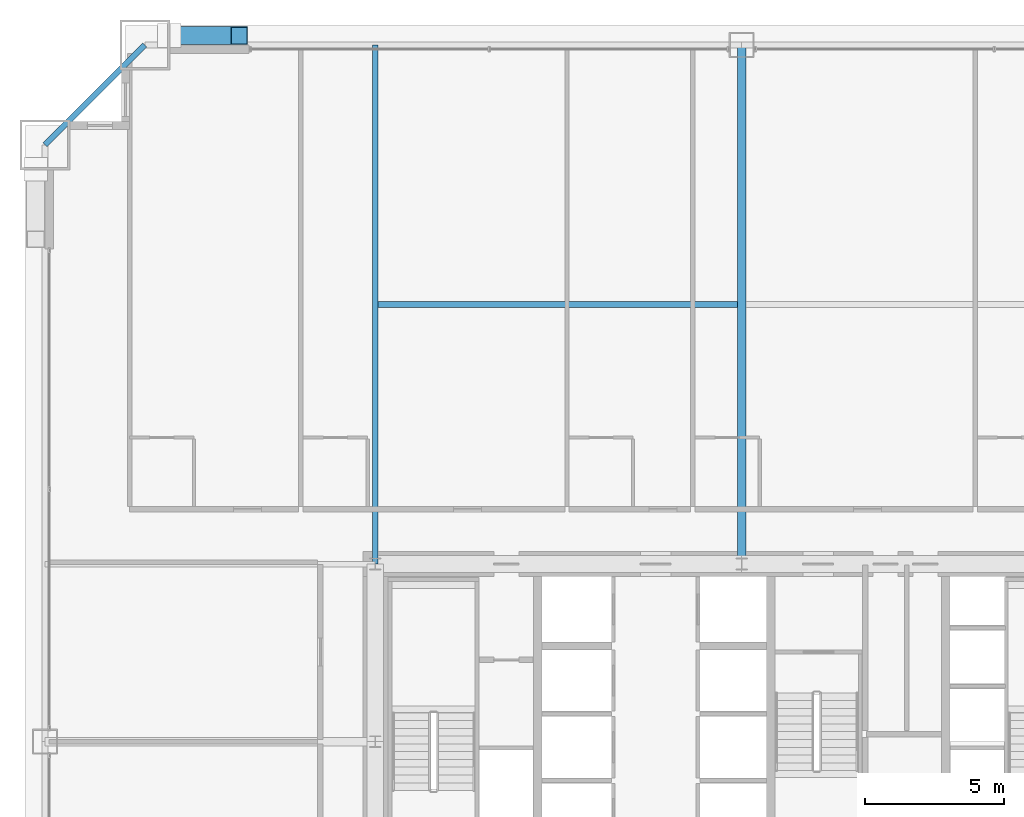
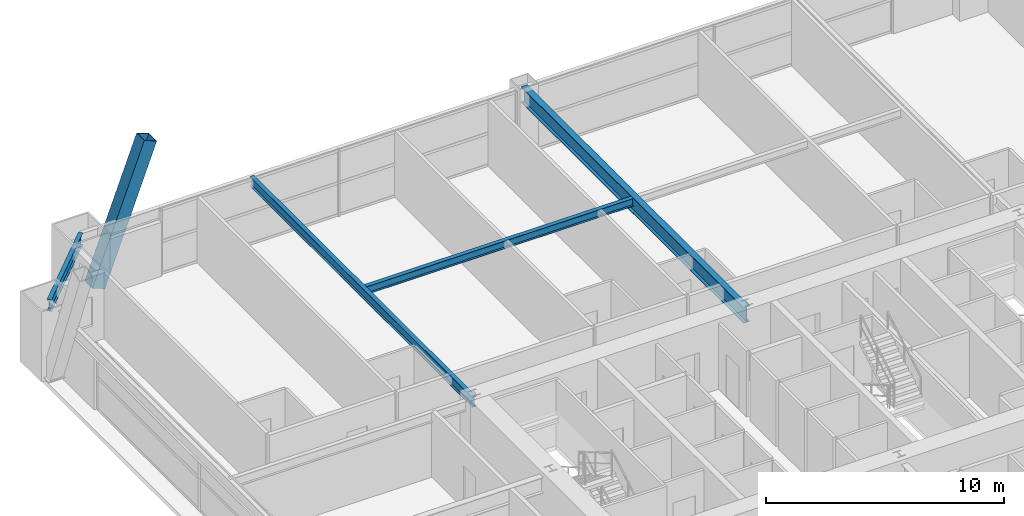
# One storey, part 25 of 43: 4 beams, 1 member.
"""IFC4 building model written with IfcOpenShell, lengths in metres."""

from ifc_helpers import new_model, si_unit, direction, frame, origin, origin_2d, place, context, subcontext, project, spatial, hollow_rectangle, i_section, extrude, source, transform, mapped, material, material_profile, profile_set, type_object, element, save


model = new_model("IFC4")

# Units and contexts
model_context = context("Model", 3, precision=1e-05, world=origin(), true_north=direction((0.0, 1.0)))
body_context = subcontext(model_context, "Body", "Model", "MODEL_VIEW")
ifc_project = project(units=[si_unit("LENGTHUNIT", "METRE"), si_unit("AREAUNIT", "SQUARE_METRE"), si_unit("VOLUMEUNIT", "CUBIC_METRE"), si_unit("PLANEANGLEUNIT", "RADIAN"), si_unit("MASSUNIT", "GRAM", prefix="KILO"), si_unit("THERMODYNAMICTEMPERATUREUNIT", "KELVIN"), si_unit("POWERUNIT", "WATT")], contexts=[model_context])

# Site, building, storey
site_placement = place(None, origin())
site = spatial("IfcSite", under=ifc_project, at=site_placement, CompositionType="ELEMENT")
building_placement = place(site_placement, origin())
building = spatial("IfcBuilding", under=site, at=building_placement, Name="Yuzanri Waterfront Tower", CompositionType="ELEMENT")
storey_placement = place(building_placement, frame((0.0, 0.0, 74.800048828125)))
storey = spatial("IfcBuildingStorey", under=building, at=storey_placement, Name="L19", CompositionType="ELEMENT", Elevation=74.800048828125)

# Beams
ifc_material_1 = material(Name="Steel Q355B", Category="steel")
ifc_material_profile_1 = material_profile(ifc_material_1, i_section(OverallWidth=0.199951171875, OverallDepth=0.60009765625, WebThickness=0.010986328125, FlangeThickness=0.01708984375, at=origin_2d()), Name="HN 600x200x11x17")
ifc_profile_set_1 = profile_set([ifc_material_profile_1], Name="Steel Q355B")
beam_type_1 = type_object("IfcBeamType", Name="Perimeter Spandrel Q355B HN 600x200", PredefinedType="SPANDREL", material=ifc_profile_set_1)
shared_shape_1 = source(origin(), body_context, "Body", "SweptSolid", [
    extrude(i_section(OverallWidth=0.199951171875, OverallDepth=0.60009765625, WebThickness=0.010986328125, FlangeThickness=0.01708984375, at=origin_2d()), origin(), (0.0, 0.0, 1.0), 5.091064453125),
])
beam_1_placement = place(storey_placement, frame((15.5, 50.89990234375, 3.079833984375), z_axis=(-0.707130757816, -0.707082803744, 0.0), x_axis=(0.707082803744, -0.707130757816, 0.0)))
element("IfcBeam", 1, at=beam_1_placement, inside=storey, type_object=beam_type_1, Name="L19 Perimeter Spandrel N1-W3", PredefinedType="SPANDREL", context=body_context, shape_type="MappedRepresentation", body=[
    mapped(shared_shape_1, transform((0.0, 0.0, 0.0), scale=1.0)),
])
ifc_material_2 = material(Name="Steel Q355B", Category="steel")
ifc_material_profile_2 = material_profile(ifc_material_2, i_section(OverallWidth=0.300048828125, OverallDepth=0.800048828125, WebThickness=0.013916015625, FlangeThickness=0.02587890625, at=origin_2d()), Name="HN 800x300x14x26")
ifc_profile_set_2 = profile_set([ifc_material_profile_2], Name="Steel Q355B")
beam_type_2 = type_object("IfcBeamType", Name="Primary Floor Girder Q355B HN 800x300", PredefinedType="BEAM", material=ifc_profile_set_2)
shared_shape_2 = source(origin(), body_context, "Body", "SweptSolid", [
    extrude(i_section(OverallWidth=0.300048828125, OverallDepth=0.800048828125, WebThickness=0.013916015625, FlangeThickness=0.02587890625, at=origin_2d()), origin(), (0.0, 0.0, 1.0), 18.699951171875),
])
beam_2_placement = place(storey_placement, frame((37.0, 32.199951171875, 2.97998046875), z_axis=(0.0, 1.0, 0.0), x_axis=(-1.0, 0.0, 0.0)))
element("IfcBeam", 2, at=beam_2_placement, inside=storey, type_object=beam_type_2, Name="L19 North Grid Girder", PredefinedType="BEAM", context=body_context, shape_type="MappedRepresentation", body=[
    mapped(shared_shape_2, transform((0.0, 0.0, 0.0), scale=1.0)),
])
ifc_material_3 = material(Name="Steel Q355B", Category="steel")
ifc_material_profile_3 = material_profile(ifc_material_3, i_section(OverallWidth=0.199951171875, OverallDepth=0.5, WebThickness=0.010009765625, FlangeThickness=0.01611328125, at=origin_2d()), Name="HN 500x200x10x16")
ifc_profile_set_3 = profile_set([ifc_material_profile_3], Name="Steel Q355B")
beam_type_3 = type_object("IfcBeamType", Name="Secondary Floor Beam Q355B HN 500x200", PredefinedType="BEAM", material=ifc_profile_set_3)
shared_shape_3 = source(origin(), body_context, "Body", "SweptSolid", [
    extrude(i_section(OverallWidth=0.199951171875, OverallDepth=0.5, WebThickness=0.010009765625, FlangeThickness=0.01611328125, at=origin_2d()), origin(), (0.0, 0.0, 1.0), 18.699951171875),
])
beam_3_placement = place(storey_placement, frame((23.800048828125, 32.199951171875, 3.1298828125), z_axis=(0.0, 1.0, 0.0), x_axis=(-1.0, 0.0, 0.0)))
element("IfcBeam", 3, at=beam_3_placement, inside=storey, type_object=beam_type_3, Name="L19 North-West Core Line Beam", PredefinedType="BEAM", context=body_context, shape_type="MappedRepresentation", body=[
    mapped(shared_shape_3, transform((0.0, 0.0, 0.0), scale=1.0)),
])
ifc_material_4 = material(Name="Steel Q355B", Category="steel")
ifc_material_profile_4 = material_profile(ifc_material_4, i_section(OverallWidth=0.199951171875, OverallDepth=0.39990234375, WebThickness=0.008056640625, FlangeThickness=0.012939453125, at=origin_2d()), Name="HN 400x200x8x13")
ifc_profile_set_4 = profile_set([ifc_material_profile_4], Name="Steel Q355B")
beam_type_4 = type_object("IfcBeamType", Name="Floor Joist Q355B HN 400x200", PredefinedType="JOIST", material=ifc_profile_set_4)
shared_shape_4 = source(origin(), body_context, "Body", "SweptSolid", [
    extrude(i_section(OverallWidth=0.199951171875, OverallDepth=0.39990234375, WebThickness=0.008056640625, FlangeThickness=0.012939453125, at=origin_2d()), origin(), (0.0, 0.0, 1.0), 12.9501953125),
])
beam_4_placement = place(storey_placement, frame((23.89990234375, 41.550048828125, 3.179931640625), z_axis=(1.0, 0.0, 0.0), x_axis=(0.0, 1.0, 0.0)))
element("IfcBeam", 4, at=beam_4_placement, inside=storey, type_object=beam_type_4, Name="L19 North Bay Joist W", PredefinedType="JOIST", context=body_context, shape_type="MappedRepresentation", body=[
    mapped(shared_shape_4, transform((0.0, 0.0, 0.0), scale=1.0)),
])

# Member
ifc_material_5 = material(Name="Steel Q420GJC", Category="steel")
ifc_material_profile_5 = material_profile(ifc_material_5, hollow_rectangle(XDim=0.64990234375, YDim=0.64990234375, WallThickness=0.028076171875, at=origin_2d()), Name="RHS 650x650x28")
ifc_profile_set_5 = profile_set([ifc_material_profile_5], Name="Steel Q420GJC")
member_type = type_object("IfcMemberType", Name="Mega Brace Lower Q420GJC RHS 650x650x28", PredefinedType="BRACE", material=ifc_profile_set_5)
shared_shape_5 = source(origin(), body_context, "Body", "SweptSolid", [
    extrude(hollow_rectangle(XDim=0.64990234375, YDim=0.64990234375, WallThickness=0.028076171875, at=origin_2d()), origin(), (0.0, 0.0, 1.0), 7.158203125),
])
member_placement = place(storey_placement, frame((16.3798828125, 51.239990234375, 0.179931640625), z_axis=(0.352046480343, 0.0, 0.935982518896), x_axis=(0.0, 1.0, 0.0)))
element("IfcMember", 5, at=member_placement, inside=storey, type_object=member_type, Name="L19-L20 Perimeter Mega-Brace N-L", PredefinedType="BRACE", context=body_context, shape_type="MappedRepresentation", body=[
    mapped(shared_shape_5, transform((0.0, 0.0, 0.0), scale=1.0)),
])

save(model, "model.ifc")
